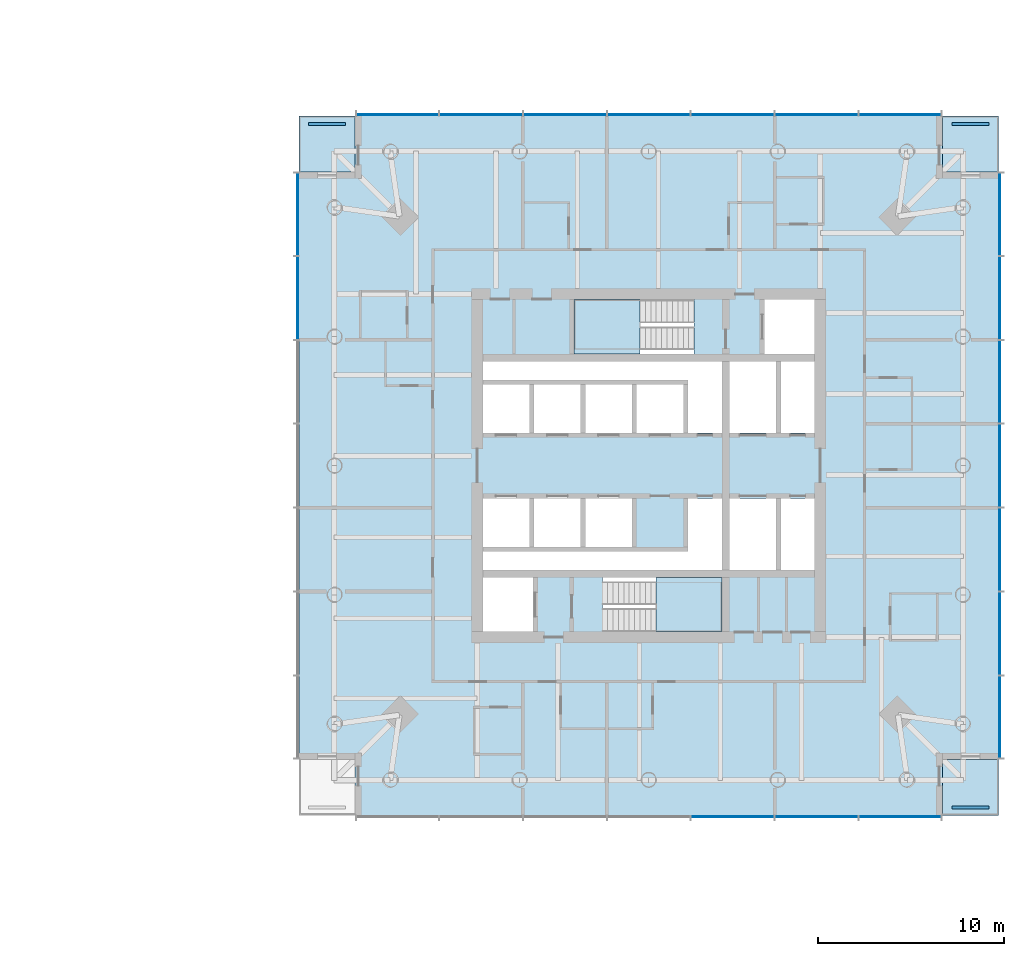
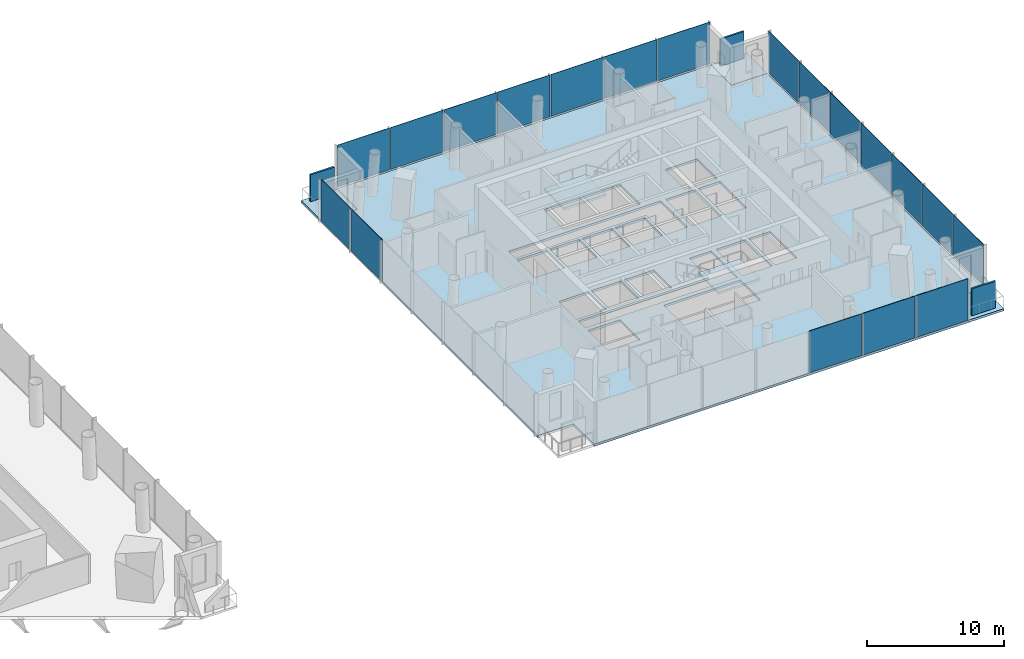
# One storey, part 7 of 18: 22 plates, 6 slabs, 6 elements without a shape of their own.
"""IFC4 building model written with IfcOpenShell, lengths in metres."""

from ifc_helpers import new_model, si_unit, direction, frame, origin, origin_2d, place, context, subcontext, project, spatial, polyline, rectangle, outline, extrude, material, layer, layer_set, type_object, element, aggregate, save


model = new_model("IFC4")

# Units and contexts
model_context = context("Model", 3, precision=1e-05, world=origin(), true_north=direction((0.0, 1.0)))
body_context = subcontext(model_context, "Body", "Model", "MODEL_VIEW")
ifc_project = project(units=[si_unit("LENGTHUNIT", "METRE"), si_unit("AREAUNIT", "SQUARE_METRE"), si_unit("VOLUMEUNIT", "CUBIC_METRE"), si_unit("PLANEANGLEUNIT", "RADIAN"), si_unit("MASSUNIT", "GRAM", prefix="KILO")], contexts=[model_context])

# Site, building, storey
site_placement = place(None, origin())
site = spatial("IfcSite", under=ifc_project, at=site_placement, CompositionType="ELEMENT")
building_placement = place(site_placement, origin())
building = spatial("IfcBuilding", under=site, at=building_placement, Name="Ostroluk Exchange", CompositionType="ELEMENT")
storey_placement = place(building_placement, frame((0.0, 0.0, 70.39990234375)))
storey = spatial("IfcBuildingStorey", under=building, at=storey_placement, Name="L17", CompositionType="ELEMENT", Elevation=70.39990234375)

# Curtain wall, plates
ifc_material_1 = material(Name="Laminated clear glass", Category="glass")
curtain_wall_type = type_object("IfcCurtainWallType", Name="Hotel guest floor facade", PredefinedType="USERDEFINED", material=ifc_material_1)
curtain_wall_1_placement = place(storey_placement, origin())
curtain_wall_1 = element("IfcCurtainWall", 1, at=curtain_wall_1_placement, inside=storey, type_object=curtain_wall_type, Name="Hotel tower south facade L17", ObjectType="UNITISED CURTAIN WALL", PredefinedType="USERDEFINED")
ifc_material_2 = material(Name="Laminated clear glass", Category="glass")
ifc_layer_1 = layer(ifc_material_2, 0.0400390625)
ifc_layer_set_1 = layer_set([ifc_layer_1], Name="Acoustic laminated glazing 40")
plate_type_1 = type_object("IfcPlateType", Name="Acoustic laminated glazing 40", PredefinedType="CURTAIN_PANEL", material=ifc_layer_set_1)
plate_1_placement = place(storey_placement, frame((121.5, 27.175048828125, 0.080078125), z_axis=(0.0, 0.0, 1.0), x_axis=(1.0, 0.0, 0.0)))
plate_1 = element("IfcPlate", 2, at=plate_1_placement, type_object=plate_type_1, Name="CW-H1 panel 5.1", PredefinedType="CURTAIN_PANEL", context=body_context, shape_type="SweptSolid", body=[
    extrude(rectangle(XDim=4.419921875, YDim=0.0400390625, at=origin_2d()), origin(), (0.0, 0.0, 1.0), 3.719970703125),
])
plate_2_placement = place(storey_placement, frame((126.0, 27.175048828125, 0.080078125), z_axis=(0.0, 0.0, 1.0), x_axis=(1.0, 0.0, 0.0)))
plate_2 = element("IfcPlate", 3, at=plate_2_placement, type_object=plate_type_1, Name="CW-H1 panel 6.1", PredefinedType="CURTAIN_PANEL", context=body_context, shape_type="SweptSolid", body=[
    extrude(rectangle(XDim=4.419921875, YDim=0.0400390625, at=origin_2d()), origin(), (0.0, 0.0, 1.0), 3.719970703125),
])
plate_3_placement = place(storey_placement, frame((130.47998046875, 27.175048828125, 0.080078125), z_axis=(0.0, 0.0, 1.0), x_axis=(1.0, 0.0, 0.0)))
plate_3 = element("IfcPlate", 4, at=plate_3_placement, type_object=plate_type_1, Name="CW-H1 panel 7.1", PredefinedType="CURTAIN_PANEL", context=body_context, shape_type="SweptSolid", body=[
    extrude(rectangle(XDim=4.3798828125, YDim=0.0400390625, at=origin_2d()), origin(), (0.0, 0.0, 1.0), 3.719970703125),
])
aggregate(curtain_wall_1, [plate_1, plate_2, plate_3])

curtain_wall_2_placement = place(storey_placement, origin())
curtain_wall_2 = element("IfcCurtainWall", 5, at=curtain_wall_2_placement, inside=storey, type_object=curtain_wall_type, Name="Hotel tower east facade L17", ObjectType="UNITISED CURTAIN WALL", PredefinedType="USERDEFINED")
plate_4_placement = place(storey_placement, frame((135.824951171875, 32.52001953125, 0.080078125), z_axis=(0.0, 0.0, 1.0), x_axis=(0.0, 1.0, 0.0)))
plate_4 = element("IfcPlate", 6, at=plate_4_placement, type_object=plate_type_1, Name="CW-H1 panel 1.1", PredefinedType="CURTAIN_PANEL", context=body_context, shape_type="SweptSolid", body=[
    extrude(rectangle(XDim=4.3798828125, YDim=0.0400390625, at=origin_2d()), origin(), (0.0, 0.0, 1.0), 3.719970703125),
])
plate_5_placement = place(storey_placement, frame((135.824951171875, 37.0, 0.080078125), z_axis=(0.0, 0.0, 1.0), x_axis=(0.0, 1.0, 0.0)))
plate_5 = element("IfcPlate", 7, at=plate_5_placement, type_object=plate_type_1, Name="CW-H1 panel 2.1", PredefinedType="CURTAIN_PANEL", context=body_context, shape_type="SweptSolid", body=[
    extrude(rectangle(XDim=4.419921875, YDim=0.0400390625, at=origin_2d()), origin(), (0.0, 0.0, 1.0), 3.719970703125),
])
plate_6_placement = place(storey_placement, frame((135.824951171875, 41.5, 0.080078125), z_axis=(0.0, 0.0, 1.0), x_axis=(0.0, 1.0, 0.0)))
plate_6 = element("IfcPlate", 8, at=plate_6_placement, type_object=plate_type_1, Name="CW-H1 panel 3.1", PredefinedType="CURTAIN_PANEL", context=body_context, shape_type="SweptSolid", body=[
    extrude(rectangle(XDim=4.419921875, YDim=0.0400390625, at=origin_2d()), origin(), (0.0, 0.0, 1.0), 3.719970703125),
])
plate_7_placement = place(storey_placement, frame((135.824951171875, 46.0, 0.080078125), z_axis=(0.0, 0.0, 1.0), x_axis=(0.0, 1.0, 0.0)))
plate_7 = element("IfcPlate", 9, at=plate_7_placement, type_object=plate_type_1, Name="CW-H1 panel 4.1", PredefinedType="CURTAIN_PANEL", context=body_context, shape_type="SweptSolid", body=[
    extrude(rectangle(XDim=4.419921875, YDim=0.0400390625, at=origin_2d()), origin(), (0.0, 0.0, 1.0), 3.719970703125),
])
plate_8_placement = place(storey_placement, frame((135.824951171875, 50.5, 0.080078125), z_axis=(0.0, 0.0, 1.0), x_axis=(0.0, 1.0, 0.0)))
plate_8 = element("IfcPlate", 10, at=plate_8_placement, type_object=plate_type_1, Name="CW-H1 panel 5.1", PredefinedType="CURTAIN_PANEL", context=body_context, shape_type="SweptSolid", body=[
    extrude(rectangle(XDim=4.419921875, YDim=0.0400390625, at=origin_2d()), origin(), (0.0, 0.0, 1.0), 3.719970703125),
])
plate_9_placement = place(storey_placement, frame((135.824951171875, 55.0, 0.080078125), z_axis=(0.0, 0.0, 1.0), x_axis=(0.0, 1.0, 0.0)))
plate_9 = element("IfcPlate", 11, at=plate_9_placement, type_object=plate_type_1, Name="CW-H1 panel 6.1", PredefinedType="CURTAIN_PANEL", context=body_context, shape_type="SweptSolid", body=[
    extrude(rectangle(XDim=4.419921875, YDim=0.0400390625, at=origin_2d()), origin(), (0.0, 0.0, 1.0), 3.719970703125),
])
plate_10_placement = place(storey_placement, frame((135.824951171875, 59.47998046875, 0.080078125), z_axis=(0.0, 0.0, 1.0), x_axis=(0.0, 1.0, 0.0)))
plate_10 = element("IfcPlate", 12, at=plate_10_placement, type_object=plate_type_1, Name="CW-H1 panel 7.1", PredefinedType="CURTAIN_PANEL", context=body_context, shape_type="SweptSolid", body=[
    extrude(rectangle(XDim=4.3798828125, YDim=0.0400390625, at=origin_2d()), origin(), (0.0, 0.0, 1.0), 3.719970703125),
])
aggregate(curtain_wall_2, [plate_4, plate_5, plate_6, plate_7, plate_8, plate_9, plate_10])

curtain_wall_3_placement = place(storey_placement, origin())
curtain_wall_3 = element("IfcCurtainWall", 13, at=curtain_wall_3_placement, inside=storey, type_object=curtain_wall_type, Name="Hotel tower north facade L17", ObjectType="UNITISED CURTAIN WALL", PredefinedType="USERDEFINED")
plate_11_placement = place(storey_placement, frame((130.47998046875, 64.824951171875, 0.080078125), z_axis=(0.0, 0.0, 1.0), x_axis=(-1.0, 0.0, 0.0)))
plate_11 = element("IfcPlate", 14, at=plate_11_placement, type_object=plate_type_1, Name="CW-H1 panel 1.1", PredefinedType="CURTAIN_PANEL", context=body_context, shape_type="SweptSolid", body=[
    extrude(rectangle(XDim=4.3798828125, YDim=0.0400390625, at=origin_2d()), origin(), (0.0, 0.0, 1.0), 3.719970703125),
])
plate_12_placement = place(storey_placement, frame((126.0, 64.824951171875, 0.080078125), z_axis=(0.0, 0.0, 1.0), x_axis=(-1.0, 0.0, 0.0)))
plate_12 = element("IfcPlate", 15, at=plate_12_placement, type_object=plate_type_1, Name="CW-H1 panel 2.1", PredefinedType="CURTAIN_PANEL", context=body_context, shape_type="SweptSolid", body=[
    extrude(rectangle(XDim=4.419921875, YDim=0.0400390625, at=origin_2d()), origin(), (0.0, 0.0, 1.0), 3.719970703125),
])
plate_13_placement = place(storey_placement, frame((121.5, 64.824951171875, 0.080078125), z_axis=(0.0, 0.0, 1.0), x_axis=(-1.0, 0.0, 0.0)))
plate_13 = element("IfcPlate", 16, at=plate_13_placement, type_object=plate_type_1, Name="CW-H1 panel 3.1", PredefinedType="CURTAIN_PANEL", context=body_context, shape_type="SweptSolid", body=[
    extrude(rectangle(XDim=4.419921875, YDim=0.0400390625, at=origin_2d()), origin(), (0.0, 0.0, 1.0), 3.719970703125),
])
plate_14_placement = place(storey_placement, frame((117.0, 64.824951171875, 0.080078125), z_axis=(0.0, 0.0, 1.0), x_axis=(-1.0, 0.0, 0.0)))
plate_14 = element("IfcPlate", 17, at=plate_14_placement, type_object=plate_type_1, Name="CW-H1 panel 4.1", PredefinedType="CURTAIN_PANEL", context=body_context, shape_type="SweptSolid", body=[
    extrude(rectangle(XDim=4.419921875, YDim=0.0400390625, at=origin_2d()), origin(), (0.0, 0.0, 1.0), 3.719970703125),
])
plate_15_placement = place(storey_placement, frame((112.5, 64.824951171875, 0.080078125), z_axis=(0.0, 0.0, 1.0), x_axis=(-1.0, 0.0, 0.0)))
plate_15 = element("IfcPlate", 18, at=plate_15_placement, type_object=plate_type_1, Name="CW-H1 panel 5.1", PredefinedType="CURTAIN_PANEL", context=body_context, shape_type="SweptSolid", body=[
    extrude(rectangle(XDim=4.419921875, YDim=0.0400390625, at=origin_2d()), origin(), (0.0, 0.0, 1.0), 3.719970703125),
])
plate_16_placement = place(storey_placement, frame((108.0, 64.824951171875, 0.080078125), z_axis=(0.0, 0.0, 1.0), x_axis=(-1.0, 0.0, 0.0)))
plate_16 = element("IfcPlate", 19, at=plate_16_placement, type_object=plate_type_1, Name="CW-H1 panel 6.1", PredefinedType="CURTAIN_PANEL", context=body_context, shape_type="SweptSolid", body=[
    extrude(rectangle(XDim=4.419921875, YDim=0.0400390625, at=origin_2d()), origin(), (0.0, 0.0, 1.0), 3.719970703125),
])
plate_17_placement = place(storey_placement, frame((103.52001953125, 64.824951171875, 0.080078125), z_axis=(0.0, 0.0, 1.0), x_axis=(-1.0, 0.0, 0.0)))
plate_17 = element("IfcPlate", 20, at=plate_17_placement, type_object=plate_type_1, Name="CW-H1 panel 7.1", PredefinedType="CURTAIN_PANEL", context=body_context, shape_type="SweptSolid", body=[
    extrude(rectangle(XDim=4.3798828125, YDim=0.0400390625, at=origin_2d()), origin(), (0.0, 0.0, 1.0), 3.719970703125),
])
aggregate(curtain_wall_3, [plate_11, plate_12, plate_13, plate_14, plate_15, plate_16, plate_17])

curtain_wall_4_placement = place(storey_placement, origin())
curtain_wall_4 = element("IfcCurtainWall", 21, at=curtain_wall_4_placement, inside=storey, type_object=curtain_wall_type, Name="Hotel tower west facade L17", ObjectType="UNITISED CURTAIN WALL", PredefinedType="USERDEFINED")
plate_18_placement = place(storey_placement, frame((98.175048828125, 59.47998046875, 0.080078125), z_axis=(0.0, 0.0, 1.0), x_axis=(0.0, -1.0, 0.0)))
plate_18 = element("IfcPlate", 22, at=plate_18_placement, type_object=plate_type_1, Name="CW-H1 panel 1.1", PredefinedType="CURTAIN_PANEL", context=body_context, shape_type="SweptSolid", body=[
    extrude(rectangle(XDim=4.3798828125, YDim=0.0400390625, at=origin_2d()), origin(), (0.0, 0.0, 1.0), 3.719970703125),
])
plate_19_placement = place(storey_placement, frame((98.175048828125, 55.0, 0.080078125), z_axis=(0.0, 0.0, 1.0), x_axis=(0.0, -1.0, 0.0)))
plate_19 = element("IfcPlate", 23, at=plate_19_placement, type_object=plate_type_1, Name="CW-H1 panel 2.1", PredefinedType="CURTAIN_PANEL", context=body_context, shape_type="SweptSolid", body=[
    extrude(rectangle(XDim=4.419921875, YDim=0.0400390625, at=origin_2d()), origin(), (0.0, 0.0, 1.0), 3.719970703125),
])
aggregate(curtain_wall_4, [plate_18, plate_19])

# Slabs
ifc_material_3 = material(Name="Concrete C35/45", Category="concrete")
ifc_layer_2 = layer(ifc_material_3, 0.199951171875)
ifc_layer_set_2 = layer_set([ifc_layer_2], Name="Balcony slab 200")
slab_type_1 = type_object("IfcSlabType", Name="Balcony slab 200", PredefinedType="USERDEFINED", material=ifc_layer_set_2)
slab_1_placement = place(storey_placement, frame((0.0, 0.0, -0.199951171875)))
element("IfcSlab", 24, at=slab_1_placement, inside=storey, type_object=slab_type_1, Name="Hotel tower SE corner balcony L17", ObjectType="BALCONY", PredefinedType="USERDEFINED", context=body_context, shape_type="SweptSolid", body=[
    extrude(outline(polyline([(132.75, 27.25), (135.75, 27.25), (135.75, 30.25), (132.75, 30.25), (132.75, 27.25)])), origin(), (0.0, 0.0, 1.0), 0.199951171875),
])
slab_2_placement = place(storey_placement, frame((0.0, 0.0, -0.199951171875)))
element("IfcSlab", 25, at=slab_2_placement, inside=storey, type_object=slab_type_1, Name="Hotel tower NE corner balcony L17", ObjectType="BALCONY", PredefinedType="USERDEFINED", context=body_context, shape_type="SweptSolid", body=[
    extrude(outline(polyline([(132.75, 61.75), (135.75, 61.75), (135.75, 64.75), (132.75, 64.75), (132.75, 61.75)])), origin(), (0.0, 0.0, 1.0), 0.199951171875),
])
slab_3_placement = place(storey_placement, frame((0.0, 0.0, -0.199951171875)))
element("IfcSlab", 26, at=slab_3_placement, inside=storey, type_object=slab_type_1, Name="Hotel tower NW corner balcony L17", ObjectType="BALCONY", PredefinedType="USERDEFINED", context=body_context, shape_type="SweptSolid", body=[
    extrude(outline(polyline([(98.25, 61.75), (101.25, 61.75), (101.25, 64.75), (98.25, 64.75), (98.25, 61.75)])), origin(), (0.0, 0.0, 1.0), 0.199951171875),
])

# Plates
ifc_material_4 = material(Name="Steel S355 trellis with planting", Category="steel")
ifc_layer_3 = layer(ifc_material_4, 0.14990234375)
ifc_layer_set_3 = layer_set([ifc_layer_3], Name="Planted screen 150")
plate_type_2 = type_object("IfcPlateType", Name="Planted screen 150", PredefinedType="USERDEFINED", material=ifc_layer_set_3)
for number, where, z_axis, x_axis, name in (
    (27, (134.25, 27.675048828125, 0.000244140625), (0.0, 0.0, 1.0), (1.0, 0.0, 0.0), "Hotel tower SE planted screen L17"),
    (28, (134.25, 64.324951171875, 0.000244140625), (0.0, 0.0, 1.0), (1.0, 0.0, 0.0), "Hotel tower NE planted screen L17"),
    (29, (99.75, 64.324951171875, 0.000244140625), (0.0, 0.0, 1.0), (1.0, 0.0, 0.0), "Hotel tower NW planted screen L17"),
):
    element("IfcPlate", number, at=place(storey_placement, frame(where, z_axis=z_axis, x_axis=x_axis)), inside=storey, type_object=plate_type_2, Name=name, ObjectType="PLANTED SCREEN", PredefinedType="USERDEFINED", context=body_context, shape_type="SweptSolid", body=[
        extrude(rectangle(XDim=2.0, YDim=0.14990234375, at=origin_2d()), origin(), (0.0, 0.0, 1.0), 2.39990234375),
    ])

# Stair, slab
ifc_material_5 = material(Name="Concrete C30/37", Category="concrete")
stair_type = type_object("IfcStairType", Name="Exit stair half turn 3800", PredefinedType="HALF_TURN_STAIR", material=ifc_material_5)
stair_1_placement = place(storey_placement, origin())
stair_1 = element("IfcStair", 30, at=stair_1_placement, inside=storey, type_object=stair_type, Name="Stair T2-S1 L17", PredefinedType="HALF_TURN_STAIR")
ifc_material_6 = material(Name="Concrete C30/37", Category="concrete")
ifc_layer_4 = layer(ifc_material_6, 0.199951171875)
ifc_layer_set_4 = layer_set([ifc_layer_4], Name="Stair landing 200")
slab_type_2 = type_object("IfcSlabType", Name="Stair landing 200", PredefinedType="LANDING", material=ifc_layer_set_4)
slab_4_placement = place(storey_placement, frame((0.0, 0.0, 1.7001953125)))
slab_4 = element("IfcSlab", 31, at=slab_4_placement, type_object=slab_type_2, Name="T2-S1 landing 1", PredefinedType="LANDING", context=body_context, shape_type="SweptSolid", body=[
    extrude(outline(polyline([(117.39990234375, 37.10009765625), (117.39990234375, 40.0), (120.929931640625, 40.0), (120.929931640625, 37.10009765625), (117.39990234375, 37.10009765625)])), origin(), (0.0, 0.0, 1.0), 0.199951171875),
])
aggregate(stair_1, [slab_4])

stair_2_placement = place(storey_placement, origin())
stair_2 = element("IfcStair", 32, at=stair_2_placement, inside=storey, type_object=stair_type, Name="Stair T2-S2 L17", PredefinedType="HALF_TURN_STAIR")
slab_5_placement = place(storey_placement, frame((0.0, 0.0, 1.7001953125)))
slab_5 = element("IfcSlab", 33, at=slab_5_placement, type_object=slab_type_2, Name="T2-S2 landing 1", PredefinedType="LANDING", context=body_context, shape_type="SweptSolid", body=[
    extrude(outline(polyline([(116.530029296875, 52.0), (116.530029296875, 54.89990234375), (113.0, 54.89990234375), (113.0, 52.0), (116.530029296875, 52.0)])), origin(), (0.0, 0.0, 1.0), 0.199951171875),
])
aggregate(stair_2, [slab_5])

# Slab
ifc_material_7 = material(Name="Concrete C35/45", Category="concrete")
ifc_layer_5 = layer(ifc_material_7, 0.199951171875)
ifc_layer_set_5 = layer_set([ifc_layer_5], Name="Tower floor slab 200 composite")
slab_type_3 = type_object("IfcSlabType", Name="Tower floor slab 200 composite", PredefinedType="FLOOR", material=ifc_layer_set_5)
slab_6_placement = place(storey_placement, frame((0.0, 0.0, -0.199951171875)))
element("IfcSlab", 34, at=slab_6_placement, inside=storey, type_object=slab_type_3, Name="Hotel tower floor slab L17", PredefinedType="FLOOR", context=body_context, shape_type="SweptSolid", body=[
    extrude(outline(polyline([(101.25, 27.25), (132.75, 27.25), (132.75, 30.25), (135.75, 30.25), (135.75, 61.75), (132.75, 61.75), (132.75, 64.75), (101.25, 64.75), (101.25, 61.75), (98.25, 61.75), (98.25, 30.25), (101.25, 30.25), (101.25, 27.25)]), holes=[polyline([(108.10009765625, 37.10009765625), (110.800048828125, 37.10009765625), (110.800048828125, 40.0), (108.10009765625, 40.0), (108.10009765625, 37.10009765625)]), polyline([(114.510009765625, 37.10009765625), (120.929931640625, 37.10009765625), (120.929931640625, 40.0), (114.510009765625, 40.0), (114.510009765625, 37.10009765625)]), polyline([(113.0, 52.0), (119.419921875, 52.0), (119.419921875, 54.89990234375), (113.0, 54.89990234375), (113.0, 52.0)]), polyline([(123.199951171875, 52.0), (125.89990234375, 52.0), (125.89990234375, 54.89990234375), (123.199951171875, 54.89990234375), (123.199951171875, 52.0)]), polyline([(108.10009765625, 47.75), (110.60009765625, 47.75), (110.60009765625, 50.35009765625), (108.10009765625, 50.35009765625), (108.10009765625, 47.75)]), polyline([(110.85009765625, 47.75), (113.35009765625, 47.75), (113.35009765625, 50.35009765625), (110.85009765625, 50.35009765625), (110.85009765625, 47.75)]), polyline([(113.60009765625, 47.75), (116.10009765625, 47.75), (116.10009765625, 50.35009765625), (113.60009765625, 50.35009765625), (113.60009765625, 47.75)]), polyline([(116.35009765625, 47.75), (118.85009765625, 47.75), (118.85009765625, 50.35009765625), (116.35009765625, 50.35009765625), (116.35009765625, 47.75)]), polyline([(108.10009765625, 41.64990234375), (110.60009765625, 41.64990234375), (110.60009765625, 44.25), (108.10009765625, 44.25), (108.10009765625, 41.64990234375)]), polyline([(110.85009765625, 41.64990234375), (113.35009765625, 41.64990234375), (113.35009765625, 44.25), (110.85009765625, 44.25), (110.85009765625, 41.64990234375)]), polyline([(113.60009765625, 41.64990234375), (116.10009765625, 41.64990234375), (116.10009765625, 44.25), (113.60009765625, 44.25), (113.60009765625, 41.64990234375)]), polyline([(121.330078125, 47.75), (123.830078125, 47.75), (123.830078125, 51.60009765625), (121.330078125, 51.60009765625), (121.330078125, 47.75)]), polyline([(121.330078125, 40.39990234375), (123.830078125, 40.39990234375), (123.830078125, 44.25), (121.330078125, 44.25), (121.330078125, 40.39990234375)]), polyline([(120.929931640625, 51.60009765625), (120.929931640625, 47.75), (119.10009765625, 47.75), (119.10009765625, 50.60009765625), (108.10009765625, 50.60009765625), (108.10009765625, 51.60009765625), (120.929931640625, 51.60009765625)]), polyline([(108.10009765625, 40.39990234375), (108.10009765625, 41.39990234375), (119.10009765625, 41.39990234375), (119.10009765625, 44.25), (120.929931640625, 44.25), (120.929931640625, 40.39990234375), (108.10009765625, 40.39990234375)]), polyline([(124.080078125, 47.75), (125.89990234375, 47.75), (125.89990234375, 51.60009765625), (124.080078125, 51.60009765625), (124.080078125, 47.75)]), polyline([(124.080078125, 40.39990234375), (125.89990234375, 40.39990234375), (125.89990234375, 44.25), (124.080078125, 44.25), (124.080078125, 40.39990234375)])]), origin(), (0.0, 0.0, 1.0), 0.199951171875),
])

save(model, "model.ifc")
